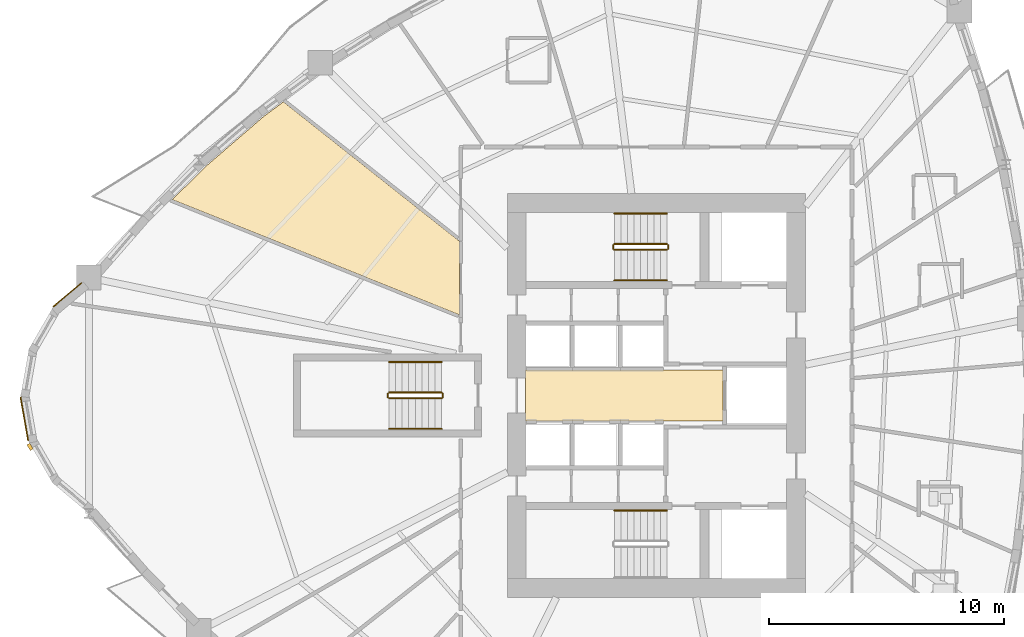
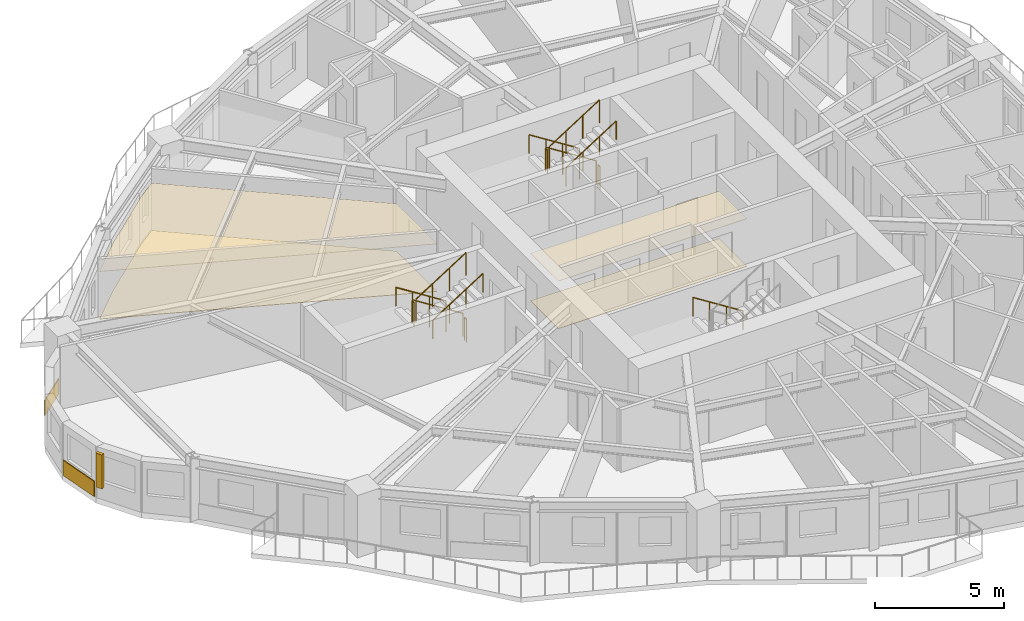
# One storey, part 11 of 13: 13 railings, 6 coverings, 1 shading device.
"""IFC4 building model written with IfcOpenShell, lengths in metres."""

from ifc_helpers import new_model, si_unit, direction, frame, origin, origin_2d, place, context, subcontext, project, spatial, polyline, rectangle, circle, outline, extrude, source, transform, mapped, material, layer, layer_set, type_object, element, save


model = new_model("IFC4")

# Units and contexts
model_context = context("Model", 3, precision=1e-05, world=origin(), true_north=direction((0.0, 1.0)))
body_context = subcontext(model_context, "Body", "Model", "MODEL_VIEW")
ifc_project = project(units=[si_unit("LENGTHUNIT", "METRE"), si_unit("AREAUNIT", "SQUARE_METRE"), si_unit("VOLUMEUNIT", "CUBIC_METRE"), si_unit("PLANEANGLEUNIT", "RADIAN"), si_unit("MASSUNIT", "GRAM", prefix="KILO")], contexts=[model_context])

# Site, building, storey
site_placement = place(None, origin())
site = spatial("IfcSite", under=ifc_project, at=site_placement, CompositionType="ELEMENT")
building_placement = place(site_placement, origin())
building = spatial("IfcBuilding", under=site, at=building_placement, Name="Qafzar Sky-Pleat Residences", CompositionType="ELEMENT")
storey_placement = place(building_placement, frame((0.0, 0.0, 55.800048828125)))
storey = spatial("IfcBuildingStorey", under=building, at=storey_placement, Name="L16", CompositionType="ELEMENT", Elevation=55.800048828125)

# Coverings
ifc_material_1 = material(Name="Perforated acoustic gypsum board ceiling")
ifc_layer_1 = layer(ifc_material_1, 0.02001953125)
ifc_layer_set_1 = layer_set([ifc_layer_1], Name="Perforated acoustic gypsum board ceiling")
covering_type_1 = type_object("IfcCoveringType", Name="COV-CEIL-ACOUSTIC", PredefinedType="CEILING", material=ifc_layer_set_1)
covering_1_placement = place(storey_placement, frame((0.0, 0.0, 2.239990234375)))
element("IfcCovering", 1, at=covering_1_placement, inside=storey, type_object=covering_type_1, Name="L16 Passenger Lift Lobby Acoustic Ceiling", PredefinedType="CEILING", context=body_context, shape_type="SweptSolid", body=[
    extrude(outline(polyline([(33.179931640625, 24.919921875), (24.77001953125, 24.919921875), (24.77001953125, 27.080078125), (33.179931640625, 27.080078125), (33.179931640625, 24.919921875)])), origin(), (0.0, 0.0, 1.0), 0.02001953125),
])
covering_2_placement = place(storey_placement, frame((0.0, 0.0, 2.239990234375)))
element("IfcCovering", 2, at=covering_2_placement, inside=storey, type_object=covering_type_1, Name="L16 Co-Living Lounge Acoustic Ceiling", PredefinedType="CEILING", context=body_context, shape_type="SweptSolid", body=[
    extrude(outline(polyline([(13.63330078125, 37.892333984375), (14.462646484375, 38.506103515625), (21.9599609375, 32.568115234375), (21.9599609375, 29.432861328125), (9.731689453125, 34.342041015625), (11.128173828125, 35.733154296875), (13.63330078125, 37.892333984375)])), origin(), (0.0, 0.0, 1.0), 0.02001953125),
])
ifc_material_2 = material(Name="Honed porcelain and Riyadh stone tile flooring", Category="masonry")
ifc_layer_2 = layer(ifc_material_2, 0.02001953125)
ifc_layer_set_2 = layer_set([ifc_layer_2], Name="Honed porcelain and Riyadh stone tile flooring")
covering_type_2 = type_object("IfcCoveringType", Name="COV-FLR-PORCELAIN", PredefinedType="FLOORING", material=ifc_layer_set_2)
covering_3_placement = place(storey_placement, origin())
element("IfcCovering", 3, at=covering_3_placement, inside=storey, type_object=covering_type_2, Name="L16 Passenger Lift Lobby Honed Stone Flooring", PredefinedType="FLOORING", context=body_context, shape_type="SweptSolid", body=[
    extrude(outline(polyline([(33.179931640625, 24.919921875), (24.77001953125, 24.919921875), (24.77001953125, 27.080078125), (33.179931640625, 27.080078125), (33.179931640625, 24.919921875)])), origin(), (0.0, 0.0, 1.0), 0.02001953125),
])
covering_4_placement = place(storey_placement, origin())
element("IfcCovering", 4, at=covering_4_placement, inside=storey, type_object=covering_type_2, Name="L16 Co-Living Lounge Honed Stone Flooring", PredefinedType="FLOORING", context=body_context, shape_type="SweptSolid", body=[
    extrude(outline(polyline([(13.63330078125, 37.892333984375), (14.462646484375, 38.506103515625), (21.9599609375, 32.568115234375), (21.9599609375, 29.432861328125), (9.731689453125, 34.342041015625), (11.128173828125, 35.733154296875), (13.63330078125, 37.892333984375)])), origin(), (0.0, 0.0, 1.0), 0.02001953125),
])
ifc_material_3 = material(Name="Honed Riyadh Tuwaiq limestone cladding", Category="masonry")
ifc_layer_3 = layer(ifc_material_3, 0.044921875)
ifc_layer_set_3 = layer_set([ifc_layer_3], Name="Honed Riyadh Tuwaiq limestone cladding")
covering_type_3 = type_object("IfcCoveringType", Name="COV-CLAD-STONE", PredefinedType="CLADDING", material=ifc_layer_set_3)
shared_shape_1 = source(origin(), body_context, "Body", "SweptSolid", [
    extrude(rectangle(XDim=1.5771484375, YDim=0.044921875, at=origin_2d()), origin(), (0.0, 0.0, 1.0), 0.719970703125),
])
covering_5_placement = place(storey_placement, frame((5.260009765625, 30.28369140625, 0.02001953125), z_axis=(0.0, 0.0, 1.0), x_axis=(-0.766074606481, -0.642751660678, 0.0)))
element("IfcCovering", 5, at=covering_5_placement, inside=storey, type_object=covering_type_3, Name="L16 Riyadh Limestone Spandrel Cladding 1", PredefinedType="CLADDING", context=body_context, shape_type="MappedRepresentation", body=[
    mapped(shared_shape_1, transform((0.0, 0.0, 0.0), x_axis=(1.0, 0.0, 0.0), y_axis=(0.0, 1.0, 0.0), z_axis=(0.0, 0.0, 1.0), scale=1.0)),
])

# Shading device
ifc_material_4 = material(Name="Honed Riyadh limestone solar fin", Category="masonry")
ifc_layer_4 = layer(ifc_material_4, 0.139892578125)
ifc_layer_set_4 = layer_set([ifc_layer_4], Name="Honed Riyadh limestone solar fin")
shading_device_type = type_object("IfcShadingDeviceType", Name="SHD-FIN-STONE", PredefinedType="SHUTTER", material=ifc_layer_set_4)
shared_shape_2 = source(origin(), body_context, "Body", "SweptSolid", [
    extrude(rectangle(XDim=0.139892578125, YDim=0.280029296875, at=origin_2d()), origin(), (0.0, 0.0, 1.0), 1.60009765625),
])
shading_device_placement = place(storey_placement, frame((3.669677734375, 23.80859375, 0.599853515625), z_axis=(0.0, 0.0, 1.0), x_axis=(-0.86604422228, -0.499967403994, 0.0)))
element("IfcShadingDevice", 6, at=shading_device_placement, inside=storey, type_object=shading_device_type, Name="L16 Limestone Solar Fin 5", PredefinedType="SHUTTER", context=body_context, shape_type="MappedRepresentation", body=[
    mapped(shared_shape_2, transform((0.0, 0.0, 0.0), x_axis=(1.0, 0.0, 0.0), y_axis=(0.0, 1.0, 0.0), z_axis=(0.0, 0.0, 1.0), scale=1.0)),
])

# Covering
shared_shape_3 = source(origin(), body_context, "Body", "SweptSolid", [
    extrude(rectangle(XDim=1.88134765625, YDim=0.044921875, at=origin_2d()), origin(), (0.0, 0.0, 1.0), 0.719970703125),
])
covering_6_placement = place(storey_placement, frame((3.42822265625, 25.00439453125, 0.02001953125), z_axis=(0.0, 0.0, 1.0), x_axis=(0.173662519465, -0.984805224059, 0.0)))
element("IfcCovering", 7, at=covering_6_placement, inside=storey, type_object=covering_type_3, Name="L16 Riyadh Limestone Spandrel Cladding 4", PredefinedType="CLADDING", context=body_context, shape_type="MappedRepresentation", body=[
    mapped(shared_shape_3, transform((0.0, 0.0, 0.0), x_axis=(1.0, 0.0, 0.0), y_axis=(0.0, 1.0, 0.0), z_axis=(0.0, 0.0, 1.0), scale=1.0)),
])

# Railings
ifc_material_5 = material(Name="Painted Steel S355 stair guardrail", Category="steel")
railing_type_1 = type_object("IfcRailingType", Name="RAIL-STAIR-GUARD", PredefinedType="GUARDRAIL", material=ifc_material_5)
shared_shape_4 = source(origin(), body_context, "Body", "SweptSolid", [
    extrude(circle(Radius=0.02392578125, at=origin_2d()), frame((0.0, 0.0, 1.076171875), z_axis=(0.0, -1.0, 0.0), x_axis=(1.0, 0.0, 0.0)), (0.0, 0.0, 1.0), 0.14990234375),
    extrude(circle(Radius=0.02099609375, at=origin_2d()), origin(), (0.0, 0.0, 1.0), 1.052001953125),
    extrude(circle(Radius=0.02099609375, at=origin_2d()), frame((0.0, -0.14990234375, 0.0)), (0.0, 0.0, 1.0), 1.052001953125),
])
for number, where, name in (
    (8, (28.510009765625, 32.39990234375, 1.599853515625), "L16 ST2 stair guard 2"),
    (9, (30.85009765625, 32.39990234375, 0.0), "L16 ST2 stair guard 4"),
    (10, (18.909912109375, 26.074951171875, 1.599853515625), "L16 ST3 stair guard 2"),
    (11, (21.25, 26.074951171875, 0.0), "L16 ST3 stair guard 4"),
):
    element("IfcRailing", number, at=place(storey_placement, frame(where)), inside=storey, type_object=railing_type_1, Name=name, PredefinedType="GUARDRAIL", context=body_context, shape_type="MappedRepresentation", body=[
        mapped(shared_shape_4, transform((0.0, 0.0, 0.0), x_axis=(1.0, 0.0, 0.0), y_axis=(0.0, 1.0, 0.0), z_axis=(0.0, 0.0, 1.0), scale=1.0)),
    ])
shared_shape_5 = source(origin(), body_context, "Body", "SweptSolid", [
    extrude(circle(Radius=0.02392578125, at=origin_2d()), frame((0.0, 0.0, 1.076171875), z_axis=(-0.8442293374, 0.0, 0.53598211339), x_axis=(0.0, -1.0, 0.0)), (0.0, 0.0, 1.0), 2.6533203125),
    extrude(circle(Radius=0.02099609375, at=origin_2d()), origin(), (0.0, 0.0, 1.0), 1.052001953125),
    extrude(circle(Radius=0.02099609375, at=origin_2d()), frame((-0.74658203125, 0.0, 0.47412109375)), (0.0, 0.0, 1.0), 1.052001953125),
    extrude(circle(Radius=0.02099609375, at=origin_2d()), frame((-1.493408203125, 0.0, 0.947998046875)), (0.0, 0.0, 1.0), 1.052001953125),
    extrude(circle(Radius=0.02099609375, at=origin_2d()), frame((-2.239990234375, 0.0, 1.422119140625)), (0.0, 0.0, 1.0), 1.052001953125),
])
for number, where, name in (
    (12, (30.800048828125, 32.449951171875, 0.177734375), "L16 ST2 stair guard 1"),
    (13, (21.199951171875, 26.125, 0.177734375), "L16 ST3 stair guard 1"),
):
    element("IfcRailing", number, at=place(storey_placement, frame(where)), inside=storey, type_object=railing_type_1, Name=name, PredefinedType="GUARDRAIL", context=body_context, shape_type="MappedRepresentation", body=[
        mapped(shared_shape_5, transform((0.0, 0.0, 0.0), x_axis=(1.0, 0.0, 0.0), y_axis=(0.0, 1.0, 0.0), z_axis=(0.0, 0.0, 1.0), scale=1.0)),
    ])
shared_shape_6 = source(origin(), body_context, "Body", "SweptSolid", [
    extrude(circle(Radius=0.02392578125, at=origin_2d()), frame((0.0, 0.0, 1.076171875), z_axis=(0.8442293374, 0.0, 0.53598211339), x_axis=(0.0, 1.0, 0.0)), (0.0, 0.0, 1.0), 2.6533203125),
    extrude(circle(Radius=0.02099609375, at=origin_2d()), origin(), (0.0, 0.0, 1.0), 1.052001953125),
    extrude(circle(Radius=0.02099609375, at=origin_2d()), frame((0.74658203125, 0.0, 0.47412109375)), (0.0, 0.0, 1.0), 1.052001953125),
    extrude(circle(Radius=0.02099609375, at=origin_2d()), frame((1.493408203125, 0.0, 0.947998046875)), (0.0, 0.0, 1.0), 1.052001953125),
    extrude(circle(Radius=0.02099609375, at=origin_2d()), frame((2.239990234375, 0.0, 1.422119140625)), (0.0, 0.0, 1.0), 1.052001953125),
])
for number, where, name in (
    (14, (28.56005859375, 32.199951171875, 1.77783203125), "L16 ST2 stair guard 3"),
    (15, (18.9599609375, 25.875, 1.77783203125), "L16 ST3 stair guard 3"),
):
    element("IfcRailing", number, at=place(storey_placement, frame(where)), inside=storey, type_object=railing_type_1, Name=name, PredefinedType="GUARDRAIL", context=body_context, shape_type="MappedRepresentation", body=[
        mapped(shared_shape_6, transform((0.0, 0.0, 0.0), x_axis=(1.0, 0.0, 0.0), y_axis=(0.0, 1.0, 0.0), z_axis=(0.0, 0.0, 1.0), scale=1.0)),
    ])
ifc_material_6 = material(Name="Brushed stainless steel handrail", Category="steel")
railing_type_2 = type_object("IfcRailingType", Name="RAIL-STAIR-HAND", PredefinedType="HANDRAIL", material=ifc_material_6)
shared_shape_7 = source(origin(), body_context, "Body", "SweptSolid", [
    extrude(circle(Radius=0.02392578125, at=origin_2d()), frame((0.0, 0.0, 0.8759765625), z_axis=(-0.8442293374, 0.0, 0.53598211339), x_axis=(0.0, -1.0, 0.0)), (0.0, 0.0, 1.0), 2.6533203125),
    extrude(circle(Radius=0.02099609375, at=origin_2d()), origin(), (0.0, 0.0, 1.0), 0.851806640625),
    extrude(circle(Radius=0.02099609375, at=origin_2d()), frame((-0.74658203125, 0.0, 0.47412109375)), (0.0, 0.0, 1.0), 0.851806640625),
    extrude(circle(Radius=0.02099609375, at=origin_2d()), frame((-1.493408203125, 0.0, 0.947998046875)), (0.0, 0.0, 1.0), 0.851806640625),
    extrude(circle(Radius=0.02099609375, at=origin_2d()), frame((-2.239990234375, 0.0, 1.422119140625)), (0.0, 0.0, 1.0), 0.851806640625),
])
for number, where, name in (
    (16, (30.800048828125, 21.10009765625, 0.177734375), "L16 ST1 stair handrail 1"),
    (17, (30.800048828125, 33.75, 0.177734375), "L16 ST2 stair handrail 1"),
    (18, (21.199951171875, 27.425048828125, 0.177734375), "L16 ST3 stair handrail 1"),
):
    element("IfcRailing", number, at=place(storey_placement, frame(where)), inside=storey, type_object=railing_type_2, Name=name, PredefinedType="HANDRAIL", context=body_context, shape_type="MappedRepresentation", body=[
        mapped(shared_shape_7, transform((0.0, 0.0, 0.0), x_axis=(1.0, 0.0, 0.0), y_axis=(0.0, 1.0, 0.0), z_axis=(0.0, 0.0, 1.0), scale=1.0)),
    ])
shared_shape_8 = source(origin(), body_context, "Body", "SweptSolid", [
    extrude(circle(Radius=0.02392578125, at=origin_2d()), frame((0.0, 0.0, 0.8759765625), z_axis=(0.8442293374, 0.0, 0.53598211339), x_axis=(0.0, 1.0, 0.0)), (0.0, 0.0, 1.0), 2.6533203125),
    extrude(circle(Radius=0.02099609375, at=origin_2d()), origin(), (0.0, 0.0, 1.0), 0.851806640625),
    extrude(circle(Radius=0.02099609375, at=origin_2d()), frame((0.74658203125, 0.0, 0.47412109375)), (0.0, 0.0, 1.0), 0.851806640625),
    extrude(circle(Radius=0.02099609375, at=origin_2d()), frame((1.493408203125, 0.0, 0.947998046875)), (0.0, 0.0, 1.0), 0.851806640625),
    extrude(circle(Radius=0.02099609375, at=origin_2d()), frame((2.239990234375, 0.0, 1.422119140625)), (0.0, 0.0, 1.0), 0.851806640625),
])
for number, where, name in (
    (19, (28.56005859375, 30.89990234375, 1.77783203125), "L16 ST2 stair handrail 2"),
    (20, (18.9599609375, 24.574951171875, 1.77783203125), "L16 ST3 stair handrail 2"),
):
    element("IfcRailing", number, at=place(storey_placement, frame(where)), inside=storey, type_object=railing_type_2, Name=name, PredefinedType="HANDRAIL", context=body_context, shape_type="MappedRepresentation", body=[
        mapped(shared_shape_8, transform((0.0, 0.0, 0.0), x_axis=(1.0, 0.0, 0.0), y_axis=(0.0, 1.0, 0.0), z_axis=(0.0, 0.0, 1.0), scale=1.0)),
    ])

save(model, "model.ifc")
